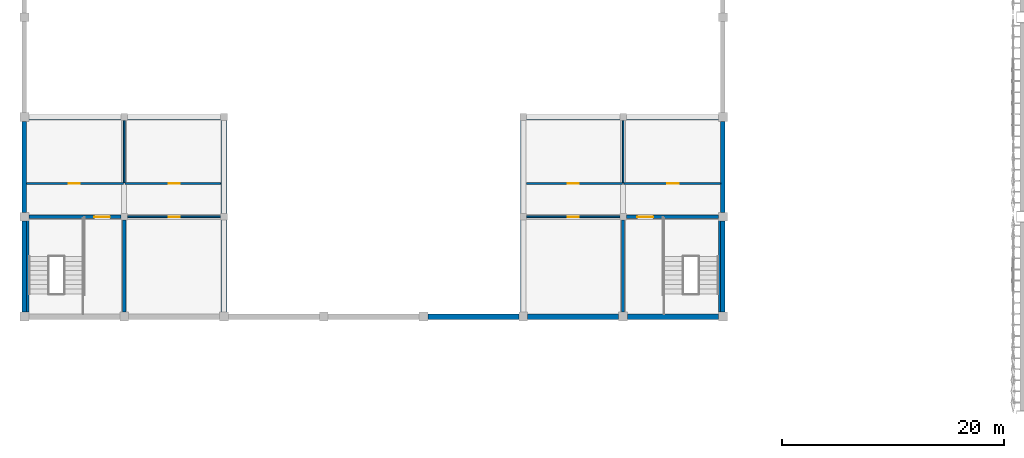
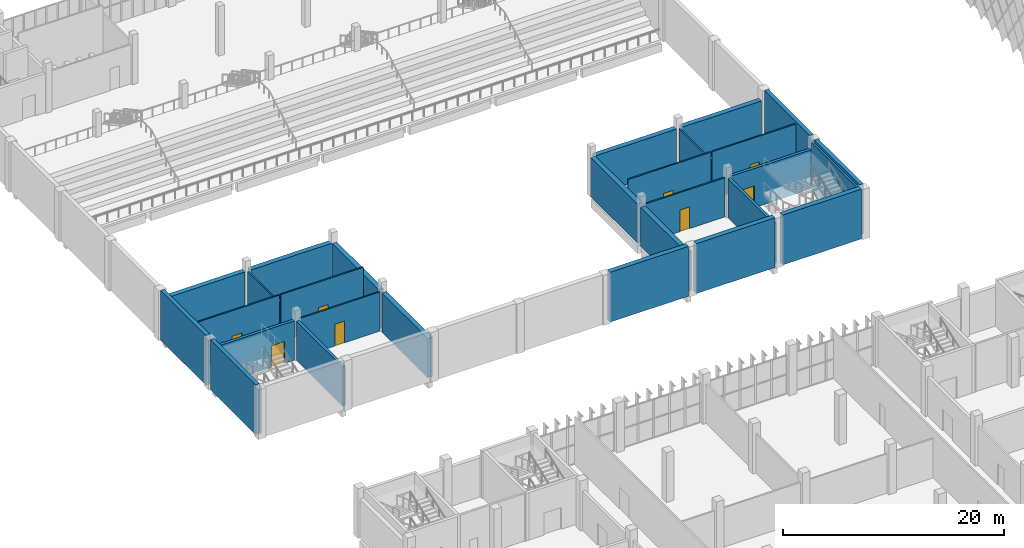
# One storey, part 111 of 185: 29 walls, 8 doors, 8 openings.
"""IFC4 building model written with IfcOpenShell, lengths in metres."""

from ifc_helpers import new_model, si_unit, direction, frame, frame_2d, origin, place, context, subcontext, project, spatial, rectangle, extrude, material, layer, layer_set, type_object, element, fill, save


model = new_model("IFC4")

# Units and contexts
model_context = context("Model", 3, precision=1e-05, world=origin(), true_north=direction((0.0, 1.0)))
body_context = subcontext(model_context, "Body", "Model", "MODEL_VIEW")
ifc_project = project(units=[si_unit("LENGTHUNIT", "METRE"), si_unit("AREAUNIT", "SQUARE_METRE"), si_unit("VOLUMEUNIT", "CUBIC_METRE"), si_unit("PLANEANGLEUNIT", "RADIAN"), si_unit("MASSUNIT", "GRAM", prefix="KILO")], contexts=[model_context])

# Site, building, storey
site_placement = place(None, origin())
site = spatial("IfcSite", under=ifc_project, at=site_placement, CompositionType="ELEMENT")
building_placement = place(site_placement, origin())
building = spatial("IfcBuilding", under=site, at=building_placement, Name="Opaline Strait Convention Centre", CompositionType="ELEMENT")
storey_placement = place(building_placement, frame((0.0, 0.0, 6.0)))
storey = spatial("IfcBuildingStorey", under=building, at=storey_placement, Name="L01", CompositionType="ELEMENT", Elevation=6.0)

# Wall, opening, door
ifc_material_1 = material(Name="Autoclaved aerated blockwork", Category="masonry")
ifc_layer_1 = layer(ifc_material_1, 0.14990234375)
ifc_layer_set_1 = layer_set([ifc_layer_1], Name="Autoclaved aerated blockwork")
wall_type_1 = type_object("IfcWallType", Name="Blockwork partition 150", PredefinedType="PARTITIONING", material=ifc_layer_set_1)
wall_1_placement = place(storey_placement, frame((9.199951171875, 129.0, 0.0), z_axis=(0.0, 0.0, 1.0), x_axis=(1.0, 0.0, 0.0)))
wall_1 = element("IfcWall", 1, at=wall_1_placement, inside=storey, type_object=wall_type_1, Name="PW11 L01 partition WY129A", PredefinedType="PARTITIONING", context=body_context, shape_type="SweptSolid", body=[
    extrude(rectangle(XDim=8.72509765625, YDim=0.14990234375, at=frame_2d((4.362548828125, 0.0))), origin(), (0.0, 0.0, 1.0), 5.219970703125),
])
opening_1_placement = place(wall_1_placement, frame((3.800048828125, 0.0, 0.0)))
opening_1 = element("IfcOpeningElement", 2, at=opening_1_placement, cuts=wall_1, Name="Opening P1-005", PredefinedType="OPENING", context=body_context, shape_type="SweptSolid", body=[
    extrude(rectangle(XDim=1.0, YDim=2.39990234375, at=frame_2d((0.5, 1.199951171875))), frame((0.0, 0.0849609375, 0.0), z_axis=(0.0, -1.0, 0.0), x_axis=(1.0, 0.0, 0.0)), (0.0, 0.0, 1.0), 0.169921875),
])
ifc_material_2 = material(Name="Steel Q235B", Category="steel")
door_type_1 = type_object("IfcDoorType", Name="Fire door FD30 1000 x 2400", OperationType="NOTDEFINED", PredefinedType="DOOR", material=ifc_material_2)
door_1_placement = place(opening_1_placement, origin())
door_1 = element("IfcDoor", 3, at=door_1_placement, inside=storey, type_object=door_type_1, Name="L01 room door", ObjectType="PD7", OperationType="SINGLE_SWING_LEFT", OverallHeight=2.39990234375, OverallWidth=1.0, PredefinedType="DOOR", context=body_context, shape_type="SweptSolid", body=[
    extrude(rectangle(XDim=1.0, YDim=2.39990234375, at=frame_2d((0.5, 1.199951171875))), frame((0.0, 0.02490234375, 0.0), z_axis=(0.0, -1.0, 0.0), x_axis=(1.0, 0.0, 0.0)), (0.0, 0.0, 1.0), 0.050048828125),
])
fill(opening_1, door_1)

wall_2_placement = place(storey_placement, frame((18.074951171875, 129.0, 0.0), z_axis=(0.0, 0.0, 1.0), x_axis=(1.0, 0.0, 0.0)))
wall_2 = element("IfcWall", 4, at=wall_2_placement, inside=storey, type_object=wall_type_1, Name="PW11 L01 partition WY129B", PredefinedType="PARTITIONING", context=body_context, shape_type="SweptSolid", body=[
    extrude(rectangle(XDim=8.625, YDim=0.14990234375, at=frame_2d((4.3125, 0.0))), origin(), (0.0, 0.0, 1.0), 5.219970703125),
])
opening_2_placement = place(wall_2_placement, frame((3.925048828125, 0.0, 0.0)))
opening_2 = element("IfcOpeningElement", 5, at=opening_2_placement, cuts=wall_2, Name="Opening P1-006", PredefinedType="OPENING", context=body_context, shape_type="SweptSolid", body=[
    extrude(rectangle(XDim=1.0, YDim=2.39990234375, at=frame_2d((0.5, 1.199951171875))), frame((0.0, 0.0849609375, 0.0), z_axis=(0.0, -1.0, 0.0), x_axis=(1.0, 0.0, 0.0)), (0.0, 0.0, 1.0), 0.169921875),
])
door_2_placement = place(opening_2_placement, origin())
door_2 = element("IfcDoor", 6, at=door_2_placement, inside=storey, type_object=door_type_1, Name="L01 room door", ObjectType="PD7", OperationType="SINGLE_SWING_RIGHT", OverallHeight=2.39990234375, OverallWidth=1.0, PredefinedType="DOOR", context=body_context, shape_type="SweptSolid", body=[
    extrude(rectangle(XDim=1.0, YDim=2.39990234375, at=frame_2d((0.5, 1.199951171875))), frame((0.0, 0.02490234375, 0.0), z_axis=(0.0, -1.0, 0.0), x_axis=(1.0, 0.0, 0.0)), (0.0, 0.0, 1.0), 0.050048828125),
])
fill(opening_2, door_2)

# Wall
wall_3_placement = place(storey_placement, frame((18.0, 129.074951171875, 0.0), z_axis=(0.0, 0.0, 1.0), x_axis=(0.0, 1.0, 0.0)))
element("IfcWall", 7, at=wall_3_placement, inside=storey, type_object=wall_type_1, Name="PW11 L01 partition WX18", PredefinedType="PARTITIONING", context=body_context, shape_type="SweptSolid", body=[
    extrude(rectangle(XDim=5.625, YDim=0.14990234375, at=frame_2d((2.8125, 0.0))), origin(), (0.0, 0.0, 1.0), 4.320068359375),
])

# Wall, opening, door
wall_4_placement = place(storey_placement, frame((18.300048828125, 126.0, 0.0), z_axis=(0.0, 0.0, 1.0), x_axis=(1.0, 0.0, 0.0)))
wall_4 = element("IfcWall", 8, at=wall_4_placement, inside=storey, type_object=wall_type_1, Name="PW11 L01 partition WY126", PredefinedType="PARTITIONING", context=body_context, shape_type="SweptSolid", body=[
    extrude(rectangle(XDim=8.39990234375, YDim=0.14990234375, at=frame_2d((4.199951171875, 0.0))), origin(), (0.0, 0.0, 1.0), 4.320068359375),
])
opening_3_placement = place(wall_4_placement, frame((3.699951171875, 0.0, 0.0)))
opening_3 = element("IfcOpeningElement", 9, at=opening_3_placement, cuts=wall_4, Name="Opening P1-007", PredefinedType="OPENING", context=body_context, shape_type="SweptSolid", body=[
    extrude(rectangle(XDim=1.0, YDim=2.39990234375, at=frame_2d((0.5, 1.199951171875))), frame((0.0, 0.0849609375, 0.0), z_axis=(0.0, -1.0, 0.0), x_axis=(1.0, 0.0, 0.0)), (0.0, 0.0, 1.0), 0.169921875),
])
door_3_placement = place(opening_3_placement, origin())
door_3 = element("IfcDoor", 10, at=door_3_placement, inside=storey, type_object=door_type_1, Name="L01 room door", ObjectType="PD7", OperationType="SINGLE_SWING_LEFT", OverallHeight=2.39990234375, OverallWidth=1.0, PredefinedType="DOOR", context=body_context, shape_type="SweptSolid", body=[
    extrude(rectangle(XDim=1.0, YDim=2.39990234375, at=frame_2d((0.5, 1.199951171875))), frame((0.0, 0.02490234375, 0.0), z_axis=(0.0, -1.0, 0.0), x_axis=(1.0, 0.0, 0.0)), (0.0, 0.0, 1.0), 0.050048828125),
])
fill(opening_3, door_3)

wall_5_placement = place(storey_placement, frame((71.800048828125, 129.0, 0.0), z_axis=(0.0, 0.0, 1.0), x_axis=(-1.0, 0.0, 0.0)))
wall_5 = element("IfcWall", 11, at=wall_5_placement, inside=storey, type_object=wall_type_1, Name="PW11 L01 partition EY129A", PredefinedType="PARTITIONING", context=body_context, shape_type="SweptSolid", body=[
    extrude(rectangle(XDim=8.72509765625, YDim=0.14990234375, at=frame_2d((4.362548828125, 0.0))), origin(), (0.0, 0.0, 1.0), 5.219970703125),
])
opening_4_placement = place(wall_5_placement, frame((3.800048828125, 0.0, 0.0)))
opening_4 = element("IfcOpeningElement", 12, at=opening_4_placement, cuts=wall_5, Name="Opening P1-008", PredefinedType="OPENING", context=body_context, shape_type="SweptSolid", body=[
    extrude(rectangle(XDim=1.0, YDim=2.39990234375, at=frame_2d((0.5, 1.199951171875))), frame((0.0, 0.0849609375, 0.0), z_axis=(0.0, -1.0, 0.0), x_axis=(1.0, 0.0, 0.0)), (0.0, 0.0, 1.0), 0.169921875),
])
door_4_placement = place(opening_4_placement, origin())
door_4 = element("IfcDoor", 13, at=door_4_placement, inside=storey, type_object=door_type_1, Name="L01 room door", ObjectType="PD7", OperationType="SINGLE_SWING_LEFT", OverallHeight=2.39990234375, OverallWidth=1.0, PredefinedType="DOOR", context=body_context, shape_type="SweptSolid", body=[
    extrude(rectangle(XDim=1.0, YDim=2.39990234375, at=frame_2d((0.5, 1.199951171875))), frame((0.0, 0.02490234375, 0.0), z_axis=(0.0, -1.0, 0.0), x_axis=(1.0, 0.0, 0.0)), (0.0, 0.0, 1.0), 0.050048828125),
])
fill(opening_4, door_4)

wall_6_placement = place(storey_placement, frame((62.925048828125, 129.0, 0.0), z_axis=(0.0, 0.0, 1.0), x_axis=(-1.0, 0.0, 0.0)))
wall_6 = element("IfcWall", 14, at=wall_6_placement, inside=storey, type_object=wall_type_1, Name="PW11 L01 partition EY129B", PredefinedType="PARTITIONING", context=body_context, shape_type="SweptSolid", body=[
    extrude(rectangle(XDim=8.625, YDim=0.14990234375, at=frame_2d((4.3125, 0.0))), origin(), (0.0, 0.0, 1.0), 5.219970703125),
])
opening_5_placement = place(wall_6_placement, frame((3.925048828125, 0.0, 0.0)))
opening_5 = element("IfcOpeningElement", 15, at=opening_5_placement, cuts=wall_6, Name="Opening P1-009", PredefinedType="OPENING", context=body_context, shape_type="SweptSolid", body=[
    extrude(rectangle(XDim=1.0, YDim=2.39990234375, at=frame_2d((0.5, 1.199951171875))), frame((0.0, 0.0849609375, 0.0), z_axis=(0.0, -1.0, 0.0), x_axis=(1.0, 0.0, 0.0)), (0.0, 0.0, 1.0), 0.169921875),
])
door_5_placement = place(opening_5_placement, origin())
door_5 = element("IfcDoor", 16, at=door_5_placement, inside=storey, type_object=door_type_1, Name="L01 room door", ObjectType="PD7", OperationType="SINGLE_SWING_RIGHT", OverallHeight=2.39990234375, OverallWidth=1.0, PredefinedType="DOOR", context=body_context, shape_type="SweptSolid", body=[
    extrude(rectangle(XDim=1.0, YDim=2.39990234375, at=frame_2d((0.5, 1.199951171875))), frame((0.0, 0.02490234375, 0.0), z_axis=(0.0, -1.0, 0.0), x_axis=(1.0, 0.0, 0.0)), (0.0, 0.0, 1.0), 0.050048828125),
])
fill(opening_5, door_5)

# Wall
wall_7_placement = place(storey_placement, frame((63.0, 129.074951171875, 0.0), z_axis=(0.0, 0.0, 1.0), x_axis=(0.0, 1.0, 0.0)))
element("IfcWall", 17, at=wall_7_placement, inside=storey, type_object=wall_type_1, Name="PW11 L01 partition EX18", PredefinedType="PARTITIONING", context=body_context, shape_type="SweptSolid", body=[
    extrude(rectangle(XDim=5.625, YDim=0.14990234375, at=frame_2d((2.8125, 0.0))), origin(), (0.0, 0.0, 1.0), 4.320068359375),
])

# Wall, opening, door
wall_8_placement = place(storey_placement, frame((62.699951171875, 126.0, 0.0), z_axis=(0.0, 0.0, 1.0), x_axis=(-1.0, 0.0, 0.0)))
wall_8 = element("IfcWall", 18, at=wall_8_placement, inside=storey, type_object=wall_type_1, Name="PW11 L01 partition EY126", PredefinedType="PARTITIONING", context=body_context, shape_type="SweptSolid", body=[
    extrude(rectangle(XDim=8.39990234375, YDim=0.14990234375, at=frame_2d((4.199951171875, 0.0))), origin(), (0.0, 0.0, 1.0), 4.320068359375),
])
opening_6_placement = place(wall_8_placement, frame((3.699951171875, 0.0, 0.0)))
opening_6 = element("IfcOpeningElement", 19, at=opening_6_placement, cuts=wall_8, Name="Opening P1-010", PredefinedType="OPENING", context=body_context, shape_type="SweptSolid", body=[
    extrude(rectangle(XDim=1.0, YDim=2.39990234375, at=frame_2d((0.5, 1.199951171875))), frame((0.0, 0.0849609375, 0.0), z_axis=(0.0, -1.0, 0.0), x_axis=(1.0, 0.0, 0.0)), (0.0, 0.0, 1.0), 0.169921875),
])
door_6_placement = place(opening_6_placement, origin())
door_6 = element("IfcDoor", 20, at=door_6_placement, inside=storey, type_object=door_type_1, Name="L01 room door", ObjectType="PD7", OperationType="SINGLE_SWING_LEFT", OverallHeight=2.39990234375, OverallWidth=1.0, PredefinedType="DOOR", context=body_context, shape_type="SweptSolid", body=[
    extrude(rectangle(XDim=1.0, YDim=2.39990234375, at=frame_2d((0.5, 1.199951171875))), frame((0.0, 0.02490234375, 0.0), z_axis=(0.0, -1.0, 0.0), x_axis=(1.0, 0.0, 0.0)), (0.0, 0.0, 1.0), 0.050048828125),
])
fill(opening_6, door_6)

# Walls
ifc_material_3 = material(Name="Concrete C40", Category="concrete")
ifc_layer_2 = layer(ifc_material_3, 0.320068359375)
ifc_material_4 = material(Name="Mineral wool insulation")
ifc_layer_3 = layer(ifc_material_4, 0.050048828125)
ifc_material_5 = material(Name="Gypsum board lining")
ifc_layer_4 = layer(ifc_material_5, 0.030029296875)
ifc_layer_set_2 = layer_set([ifc_layer_2, ifc_layer_3, ifc_layer_4], Name="Concrete C40, Mineral wool insulation, Gypsum board lining")
wall_type_2 = type_object("IfcWallType", Name="RC external wall 400 C40", PredefinedType="SOLIDWALL", material=ifc_layer_set_2)
for number, where, z_axis, x_axis, name in (
    (21, (9.0, 117.39990234375, 0.0), (0.0, 0.0, 1.0), (0.0, 1.0, 0.0), "PW1 west wall L01 2/P-2/Q"),
    (22, (9.0, 126.39990234375, 0.0), (0.0, 0.0, 1.0), (0.0, 1.0, 0.0), "PW1 west wall L01 2/Q-2/R"),
    (23, (72.0, 117.39990234375, 0.0), (0.0, 0.0, 1.0), (0.0, 1.0, 0.0), "PW1 east wall L01 9/P-9/Q"),
    (24, (72.0, 126.39990234375, 0.0), (0.0, 0.0, 1.0), (0.0, 1.0, 0.0), "PW1 east wall L01 9/Q-9/R"),
):
    element("IfcWall", number, at=place(storey_placement, frame(where, z_axis=z_axis, x_axis=x_axis)), inside=storey, type_object=wall_type_2, Name=name, PredefinedType="SOLIDWALL", context=body_context, shape_type="SweptSolid", body=[
        extrude(rectangle(XDim=8.2001953125, YDim=0.39990234375, at=frame_2d((4.10009765625, 0.0))), origin(), (0.0, 0.0, 1.0), 5.5),
    ])
ifc_layer_5 = layer(ifc_material_3, 0.419921875)
ifc_layer_6 = layer(ifc_material_4, 0.050048828125)
ifc_layer_7 = layer(ifc_material_5, 0.030029296875)
ifc_layer_set_3 = layer_set([ifc_layer_5, ifc_layer_6, ifc_layer_7], Name="Concrete C40, Mineral wool insulation, Gypsum board lining")
wall_type_3 = type_object("IfcWallType", Name="RC stage wall 500 C40", PredefinedType="SOLIDWALL", material=ifc_layer_set_3)
for number, where, z_axis, x_axis, name in (
    (25, (45.39990234375, 117.0, 0.0), (0.0, 0.0, 1.0), (1.0, 0.0, 0.0), "PW2 south stage wall L01 6/P-7/P"),
    (26, (54.39990234375, 117.0, 0.0), (0.0, 0.0, 1.0), (1.0, 0.0, 0.0), "PW2 south stage wall L01 7/P-8/P"),
    (27, (63.39990234375, 117.0, 0.0), (0.0, 0.0, 1.0), (1.0, 0.0, 0.0), "PW2 south stage wall L01 8/P-9/P"),
):
    element("IfcWall", number, at=place(storey_placement, frame(where, z_axis=z_axis, x_axis=x_axis)), inside=storey, type_object=wall_type_3, Name=name, PredefinedType="SOLIDWALL", context=body_context, shape_type="SweptSolid", body=[
        extrude(rectangle(XDim=8.2001953125, YDim=0.5, at=frame_2d((4.10009765625, 0.0))), origin(), (0.0, 0.0, 1.0), 5.5),
    ])
wall_9_placement = place(storey_placement, frame((9.39990234375, 135.0, 0.0), z_axis=(0.0, 0.0, 1.0), x_axis=(1.0, 0.0, 0.0)))
element("IfcWall", 28, at=wall_9_placement, inside=storey, type_object=wall_type_3, Name="PW2 proscenium wall L01 wing", PredefinedType="SOLIDWALL", context=body_context, shape_type="SweptSolid", body=[
    extrude(rectangle(XDim=8.300048828125, YDim=0.5, at=frame_2d((4.14990234375, 0.0))), origin(), (0.0, 0.0, 1.0), 4.320068359375),
])
for number, where, z_axis, x_axis, name in (
    (29, (18.300048828125, 135.0, 0.0), (0.0, 0.0, 1.0), (1.0, 0.0, 0.0), "PW2 proscenium wall L01 wing"),
    (30, (54.25, 135.0, 0.0), (0.0, 0.0, 1.0), (1.0, 0.0, 0.0), "PW2 proscenium wall L01 wing"),
):
    element("IfcWall", number, at=place(storey_placement, frame(where, z_axis=z_axis, x_axis=x_axis)), inside=storey, type_object=wall_type_3, Name=name, PredefinedType="SOLIDWALL", context=body_context, shape_type="SweptSolid", body=[
        extrude(rectangle(XDim=8.449951171875, YDim=0.5, at=frame_2d((4.22509765625, 0.0))), origin(), (0.0, 0.0, 1.0), 4.320068359375),
    ])
for number, where, z_axis, x_axis, name in (
    (31, (63.300048828125, 135.0, 0.0), (0.0, 0.0, 1.0), (1.0, 0.0, 0.0), "PW2 proscenium wall L01 wing"),
    (32, (27.0, 117.39990234375, 0.0), (0.0, 0.0, 1.0), (0.0, 1.0, 0.0), "PW2 stage side wall L01 at 4/P"),
):
    element("IfcWall", number, at=place(storey_placement, frame(where, z_axis=z_axis, x_axis=x_axis)), inside=storey, type_object=wall_type_3, Name=name, PredefinedType="SOLIDWALL", context=body_context, shape_type="SweptSolid", body=[
        extrude(rectangle(XDim=8.300048828125, YDim=0.5, at=frame_2d((4.14990234375, 0.0))), origin(), (0.0, 0.0, 1.0), 4.320068359375),
    ])
wall_10_placement = place(storey_placement, frame((27.0, 126.300048828125, 0.0), z_axis=(0.0, 0.0, 1.0), x_axis=(0.0, 1.0, 0.0)))
element("IfcWall", 33, at=wall_10_placement, inside=storey, type_object=wall_type_3, Name="PW2 stage side wall L01 at 4/P", PredefinedType="SOLIDWALL", context=body_context, shape_type="SweptSolid", body=[
    extrude(rectangle(XDim=8.449951171875, YDim=0.5, at=frame_2d((4.22509765625, 0.0))), origin(), (0.0, 0.0, 1.0), 4.320068359375),
])
wall_11_placement = place(storey_placement, frame((54.0, 117.39990234375, 0.0), z_axis=(0.0, 0.0, 1.0), x_axis=(0.0, 1.0, 0.0)))
element("IfcWall", 34, at=wall_11_placement, inside=storey, type_object=wall_type_3, Name="PW2 stage side wall L01 at 7/P", PredefinedType="SOLIDWALL", context=body_context, shape_type="SweptSolid", body=[
    extrude(rectangle(XDim=8.300048828125, YDim=0.5, at=frame_2d((4.14990234375, 0.0))), origin(), (0.0, 0.0, 1.0), 4.320068359375),
])
wall_12_placement = place(storey_placement, frame((54.0, 126.300048828125, 0.0), z_axis=(0.0, 0.0, 1.0), x_axis=(0.0, 1.0, 0.0)))
element("IfcWall", 35, at=wall_12_placement, inside=storey, type_object=wall_type_3, Name="PW2 stage side wall L01 at 7/P", PredefinedType="SOLIDWALL", context=body_context, shape_type="SweptSolid", body=[
    extrude(rectangle(XDim=8.449951171875, YDim=0.5, at=frame_2d((4.22509765625, 0.0))), origin(), (0.0, 0.0, 1.0), 4.320068359375),
])
ifc_layer_8 = layer(ifc_material_3, 0.300048828125)
ifc_layer_set_4 = layer_set([ifc_layer_8], Name="Concrete C40")
wall_type_4 = type_object("IfcWallType", Name="RC stair core wall 300 C40", PredefinedType="SOLIDWALL", material=ifc_layer_set_4)
wall_13_placement = place(storey_placement, frame((18.0, 117.39990234375, 0.0), z_axis=(0.0, 0.0, 1.0), x_axis=(0.0, 1.0, 0.0)))
element("IfcWall", 36, at=wall_13_placement, inside=storey, type_object=wall_type_4, Name="PW13 L01 SW core side wall", PredefinedType="SOLIDWALL", context=body_context, shape_type="SweptSolid", body=[
    extrude(rectangle(XDim=8.300048828125, YDim=0.300048828125, at=frame_2d((4.14990234375, 0.0))), origin(), (0.0, 0.0, 1.0), 4.320068359375),
])

# Wall, opening, door
wall_14_placement = place(storey_placement, frame((9.39990234375, 126.0, 0.0), z_axis=(0.0, 0.0, 1.0), x_axis=(1.0, 0.0, 0.0)))
wall_14 = element("IfcWall", 37, at=wall_14_placement, inside=storey, type_object=wall_type_4, Name="PW13 L01 SW core cross wall", PredefinedType="SOLIDWALL", context=body_context, shape_type="SweptSolid", body=[
    extrude(rectangle(XDim=8.300048828125, YDim=0.300048828125, at=frame_2d((4.14990234375, 0.0))), origin(), (0.0, 0.0, 1.0), 4.320068359375),
])
opening_7_placement = place(wall_14_placement, frame((5.89990234375, 0.0, 0.0)))
opening_7 = element("IfcOpeningElement", 38, at=opening_7_placement, cuts=wall_14, Name="Opening P1-001", PredefinedType="OPENING", context=body_context, shape_type="SweptSolid", body=[
    extrude(rectangle(XDim=1.39990234375, YDim=2.39990234375, at=frame_2d((0.699951171875, 1.199951171875))), frame((0.0, 0.159912109375, 0.0), z_axis=(0.0, -1.0, 0.0), x_axis=(1.0, 0.0, 0.0)), (0.0, 0.0, 1.0), 0.320068359375),
])
door_type_2 = type_object("IfcDoorType", Name="Fire door FD60 1400 x 2400", OperationType="DOUBLE_DOOR_SINGLE_SWING", PredefinedType="DOOR", material=ifc_material_2)
door_7_placement = place(opening_7_placement, origin())
door_7 = element("IfcDoor", 39, at=door_7_placement, inside=storey, type_object=door_type_2, Name="SW stair core door", ObjectType="PD8", OperationType="SINGLE_SWING_LEFT", OverallHeight=2.39990234375, OverallWidth=1.39990234375, PredefinedType="DOOR", context=body_context, shape_type="SweptSolid", body=[
    extrude(rectangle(XDim=1.39990234375, YDim=2.39990234375, at=frame_2d((0.699951171875, 1.199951171875))), frame((0.0, 0.02490234375, 0.0), z_axis=(0.0, -1.0, 0.0), x_axis=(1.0, 0.0, 0.0)), (0.0, 0.0, 1.0), 0.050048828125),
])
fill(opening_7, door_7)

# Wall
wall_15_placement = place(storey_placement, frame((63.0, 117.39990234375, 0.0), z_axis=(0.0, 0.0, 1.0), x_axis=(0.0, 1.0, 0.0)))
element("IfcWall", 40, at=wall_15_placement, inside=storey, type_object=wall_type_4, Name="PW13 L01 SE core side wall", PredefinedType="SOLIDWALL", context=body_context, shape_type="SweptSolid", body=[
    extrude(rectangle(XDim=8.300048828125, YDim=0.300048828125, at=frame_2d((4.14990234375, 0.0))), origin(), (0.0, 0.0, 1.0), 4.320068359375),
])

# Wall, opening, door
wall_16_placement = place(storey_placement, frame((63.300048828125, 126.0, 0.0), z_axis=(0.0, 0.0, 1.0), x_axis=(1.0, 0.0, 0.0)))
wall_16 = element("IfcWall", 41, at=wall_16_placement, inside=storey, type_object=wall_type_4, Name="PW13 L01 SE core cross wall", PredefinedType="SOLIDWALL", context=body_context, shape_type="SweptSolid", body=[
    extrude(rectangle(XDim=8.300048828125, YDim=0.300048828125, at=frame_2d((4.14990234375, 0.0))), origin(), (0.0, 0.0, 1.0), 4.320068359375),
])
opening_8_placement = place(wall_16_placement, frame((1.0, 0.0, 0.0)))
opening_8 = element("IfcOpeningElement", 42, at=opening_8_placement, cuts=wall_16, Name="Opening P1-002", PredefinedType="OPENING", context=body_context, shape_type="SweptSolid", body=[
    extrude(rectangle(XDim=1.39990234375, YDim=2.39990234375, at=frame_2d((0.699951171875, 1.199951171875))), frame((0.0, 0.159912109375, 0.0), z_axis=(0.0, -1.0, 0.0), x_axis=(1.0, 0.0, 0.0)), (0.0, 0.0, 1.0), 0.320068359375),
])
door_8_placement = place(opening_8_placement, origin())
door_8 = element("IfcDoor", 43, at=door_8_placement, inside=storey, type_object=door_type_2, Name="SE stair core door", ObjectType="PD8", OperationType="SINGLE_SWING_LEFT", OverallHeight=2.39990234375, OverallWidth=1.39990234375, PredefinedType="DOOR", context=body_context, shape_type="SweptSolid", body=[
    extrude(rectangle(XDim=1.39990234375, YDim=2.39990234375, at=frame_2d((0.699951171875, 1.199951171875))), frame((0.0, 0.02490234375, 0.0), z_axis=(0.0, -1.0, 0.0), x_axis=(1.0, 0.0, 0.0)), (0.0, 0.0, 1.0), 0.050048828125),
])
fill(opening_8, door_8)

# Walls
ifc_layer_9 = layer(ifc_material_3, 0.199951171875)
ifc_layer_set_5 = layer_set([ifc_layer_9], Name="Concrete C40")
wall_type_5 = type_object("IfcWallType", Name="RC stair lining wall 200 C40", PredefinedType="SOLIDWALL", material=ifc_layer_set_5)
for number, where, z_axis, x_axis, name in (
    (44, (9.300048828125, 117.39990234375, 0.0), (0.0, 0.0, 1.0), (0.0, 1.0, 0.0), "PW14 L01 SW stair lining wall"),
    (45, (71.699951171875, 117.39990234375, 0.0), (0.0, 0.0, 1.0), (0.0, 1.0, 0.0), "PW14 L01 SE stair lining wall"),
):
    element("IfcWall", number, at=place(storey_placement, frame(where, z_axis=z_axis, x_axis=x_axis)), inside=storey, type_object=wall_type_5, Name=name, PredefinedType="SOLIDWALL", context=body_context, shape_type="SweptSolid", body=[
        extrude(rectangle(XDim=8.300048828125, YDim=0.199951171875, at=frame_2d((4.14990234375, 0.0))), origin(), (0.0, 0.0, 1.0), 5.219970703125),
    ])

save(model, "model.ifc")
